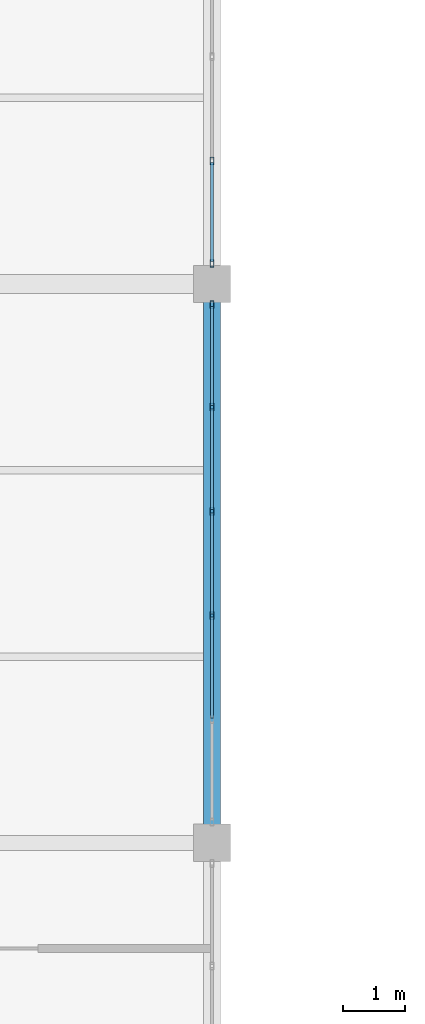
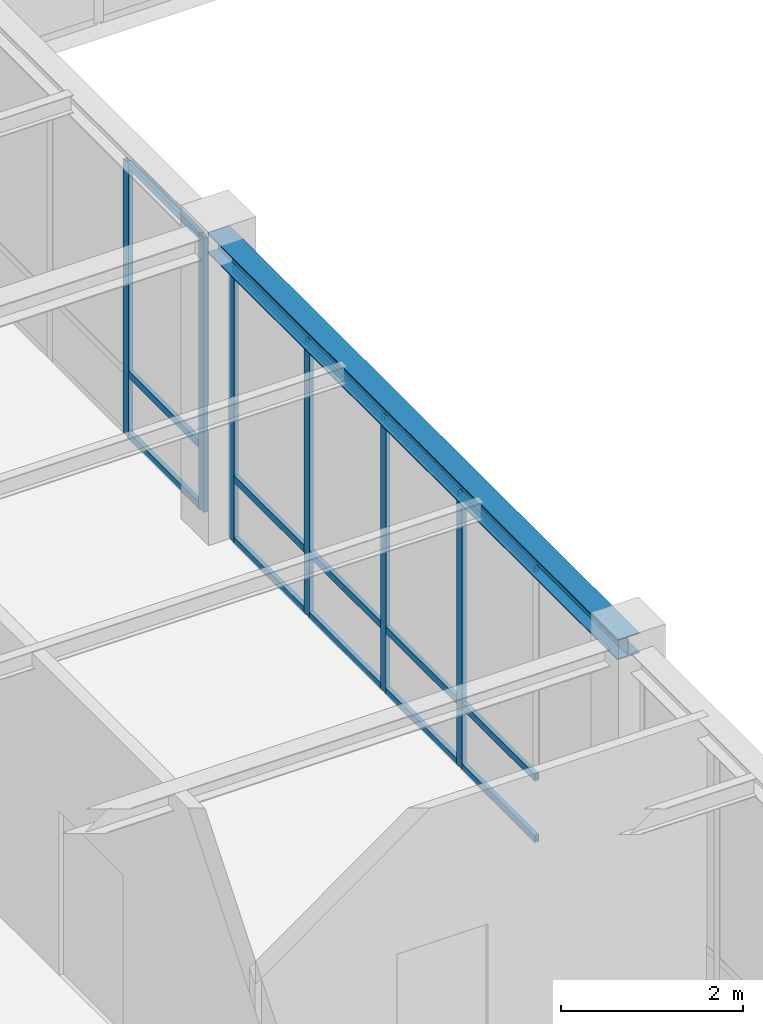
# One storey, part 34 of 97: 21 members, 1 beam, 2 elements without a shape of their own.
"""IFC4 building model written with IfcOpenShell, lengths in metres."""

from ifc_helpers import new_model, si_unit, direction, frame, origin, origin_2d, place, context, subcontext, project, spatial, hollow_rectangle, i_section, extrude, material, material_profile, profile_set, type_object, element, aggregate, save


model = new_model("IFC4")

# Units and contexts
model_context = context("Model", 3, precision=1e-05, world=origin(), true_north=direction((0.0, 1.0)))
body_context = subcontext(model_context, "Body", "Model", "MODEL_VIEW")
ifc_project = project(units=[si_unit("LENGTHUNIT", "METRE"), si_unit("AREAUNIT", "SQUARE_METRE"), si_unit("VOLUMEUNIT", "CUBIC_METRE"), si_unit("PLANEANGLEUNIT", "RADIAN"), si_unit("MASSUNIT", "GRAM", prefix="KILO")], contexts=[model_context])

# Site, building, storey
site_placement = place(None, origin())
site = spatial("IfcSite", under=ifc_project, at=site_placement, CompositionType="ELEMENT")
building_placement = place(site_placement, origin())
building = spatial("IfcBuilding", under=site, at=building_placement, Name="Lykobir Media Centre", CompositionType="ELEMENT")
storey_placement = place(building_placement, frame((0.0, 0.0, 23.39990234375)))
storey = spatial("IfcBuildingStorey", under=building, at=storey_placement, Name="L05", CompositionType="ELEMENT", Elevation=23.39990234375)

# Beam
ifc_material_1 = material(Name="Steel S355", Category="steel")
ifc_material_profile_1 = material_profile(ifc_material_1, i_section(OverallWidth=0.280029296875, OverallDepth=0.27001953125, WebThickness=0.008056640625, FlangeThickness=0.012939453125, at=origin_2d()), Name="HEA 280")
ifc_profile_set_1 = profile_set([ifc_material_profile_1], Name="Steel S355")
beam_type = type_object("IfcBeamType", Name="BM-HEA280", PredefinedType="BEAM", material=ifc_profile_set_1)
beam_placement = place(storey_placement, frame((36.0, 45.0, 3.822998046875), z_axis=(0.0, 1.0, 0.0), x_axis=(-1.0, 0.0, 0.0)))
element("IfcBeam", 1, at=beam_placement, inside=storey, type_object=beam_type, Name="Beam BM-L05-0360-0450-0360-0540-2728", PredefinedType="BEAM", context=body_context, shape_type="SweptSolid", body=[
    extrude(i_section(OverallWidth=0.280029296875, OverallDepth=0.27001953125, WebThickness=0.008056640625, FlangeThickness=0.012939453125, at=origin_2d()), origin(), (0.0, 0.0, 1.0), 9.0),
])

# Curtain wall, members
ifc_material_2 = material(Name="Anodized Aluminium AW-6060", Category="aluminium")
curtain_wall_type = type_object("IfcCurtainWallType", Name="CW-COURT-B", PredefinedType="NOTDEFINED", material=ifc_material_2)
curtain_wall_1_placement = place(storey_placement, origin())
curtain_wall_1 = element("IfcCurtainWall", 2, at=curtain_wall_1_placement, inside=storey, type_object=curtain_wall_type, Name="Curtain wall CW2-L05-0197", PredefinedType="NOTDEFINED")
ifc_material_profile_2 = material_profile(ifc_material_2, hollow_rectangle(XDim=0.054931640625, YDim=0.1201171875, WallThickness=0.003173828125, at=origin_2d()), Name="ALU MULLION 55x120")
ifc_profile_set_2 = profile_set([ifc_material_profile_2], Name="Anodized Aluminium AW-6060")
member_type_1 = type_object("IfcMemberType", Name="CWM-120", PredefinedType="MULLION", material=ifc_profile_set_2)
member_1_placement = place(storey_placement, frame((36.0, 53.66748046875, 0.0), z_axis=(0.0, 0.0, 1.0), x_axis=(1.0, 0.0, 0.0)))
member_1 = element("IfcMember", 3, at=member_1_placement, type_object=member_type_1, Name="CW2-L05-0197 mullion 1", PredefinedType="MULLION", context=body_context, shape_type="SweptSolid", body=[
    extrude(hollow_rectangle(XDim=0.054931640625, YDim=0.1201171875, WallThickness=0.003173828125, at=origin_2d()), origin(), (0.0, 0.0, 1.0), 3.673095703125),
])
member_2_placement = place(storey_placement, frame((36.0, 52.01708984375, 0.0), z_axis=(0.0, 0.0, 1.0), x_axis=(1.0, 0.0, 0.0)))
member_2 = element("IfcMember", 4, at=member_2_placement, type_object=member_type_1, Name="CW2-L05-0197 mullion 2", PredefinedType="MULLION", context=body_context, shape_type="SweptSolid", body=[
    extrude(hollow_rectangle(XDim=0.054931640625, YDim=0.1201171875, WallThickness=0.003173828125, at=origin_2d()), origin(), (0.0, 0.0, 1.0), 3.673095703125),
])
member_3_placement = place(storey_placement, frame((36.0, 50.339111328125, 0.0), z_axis=(0.0, 0.0, 1.0), x_axis=(1.0, 0.0, 0.0)))
member_3 = element("IfcMember", 5, at=member_3_placement, type_object=member_type_1, Name="CW2-L05-0197 mullion 3", PredefinedType="MULLION", context=body_context, shape_type="SweptSolid", body=[
    extrude(hollow_rectangle(XDim=0.054931640625, YDim=0.1201171875, WallThickness=0.003173828125, at=origin_2d()), origin(), (0.0, 0.0, 1.0), 3.673095703125),
])
member_4_placement = place(storey_placement, frame((36.0, 48.660888671875, 0.0), z_axis=(0.0, 0.0, 1.0), x_axis=(1.0, 0.0, 0.0)))
member_4 = element("IfcMember", 6, at=member_4_placement, type_object=member_type_1, Name="CW2-L05-0197 mullion 4", PredefinedType="MULLION", context=body_context, shape_type="SweptSolid", body=[
    extrude(hollow_rectangle(XDim=0.054931640625, YDim=0.1201171875, WallThickness=0.003173828125, at=origin_2d()), origin(), (0.0, 0.0, 1.0), 3.673095703125),
])

curtain_wall_2_placement = place(storey_placement, origin())
curtain_wall_2 = element("IfcCurtainWall", 7, at=curtain_wall_2_placement, inside=storey, type_object=curtain_wall_type, Name="Curtain wall CW2-L05-0198", PredefinedType="NOTDEFINED")
member_5_placement = place(storey_placement, frame((36.0, 55.98291015625, 0.0), z_axis=(0.0, 0.0, 1.0), x_axis=(1.0, 0.0, 0.0)))
member_5 = element("IfcMember", 8, at=member_5_placement, type_object=member_type_1, Name="CW2-L05-0198 mullion 5", PredefinedType="MULLION", context=body_context, shape_type="SweptSolid", body=[
    extrude(hollow_rectangle(XDim=0.054931640625, YDim=0.1201171875, WallThickness=0.003173828125, at=origin_2d()), origin(), (0.0, 0.0, 1.0), 3.673095703125),
])
member_6_placement = place(storey_placement, frame((36.0, 54.33251953125, 0.0), z_axis=(0.0, 0.0, 1.0), x_axis=(1.0, 0.0, 0.0)))
member_6 = element("IfcMember", 9, at=member_6_placement, type_object=member_type_1, Name="CW2-L05-0198 mullion 6", PredefinedType="MULLION", context=body_context, shape_type="SweptSolid", body=[
    extrude(hollow_rectangle(XDim=0.054931640625, YDim=0.1201171875, WallThickness=0.003173828125, at=origin_2d()), origin(), (0.0, 0.0, 1.0), 3.673095703125),
])

# Member
ifc_material_profile_3 = material_profile(ifc_material_2, hollow_rectangle(XDim=0.054931640625, YDim=0.094970703125, WallThickness=0.0029296875, at=origin_2d()), Name="ALU TRANSOM 55x95")
ifc_profile_set_3 = profile_set([ifc_material_profile_3], Name="Anodized Aluminium AW-6060")
member_type_2 = type_object("IfcMemberType", Name="CWT-095", PredefinedType="USERDEFINED", material=ifc_profile_set_3)
member_7_placement = place(storey_placement, frame((36.0, 53.639892578125, 0.027587890625), z_axis=(0.0, -1.0, 0.0), x_axis=(1.0, 0.0, 0.0)))
member_7 = element("IfcMember", 10, at=member_7_placement, type_object=member_type_2, Name="CW2-L05-0197 transom 1.1", ObjectType="TRANSOM", PredefinedType="USERDEFINED", context=body_context, shape_type="SweptSolid", body=[
    extrude(hollow_rectangle(XDim=0.054931640625, YDim=0.094970703125, WallThickness=0.0029296875, at=origin_2d()), origin(), (0.0, 0.0, 1.0), 1.595458984375),
])

member_8_placement = place(storey_placement, frame((36.0, 53.639892578125, 0.85009765625), z_axis=(0.0, -1.0, 0.0), x_axis=(1.0, 0.0, 0.0)))
member_8 = element("IfcMember", 11, at=member_8_placement, type_object=member_type_2, Name="CW2-L05-0197 transom 1.2", ObjectType="TRANSOM", PredefinedType="USERDEFINED", context=body_context, shape_type="SweptSolid", body=[
    extrude(hollow_rectangle(XDim=0.054931640625, YDim=0.094970703125, WallThickness=0.0029296875, at=origin_2d()), origin(), (0.0, 0.0, 1.0), 1.595458984375),
])

member_9_placement = place(storey_placement, frame((36.0, 53.639892578125, 3.6455078125), z_axis=(0.0, -1.0, 0.0), x_axis=(1.0, 0.0, 0.0)))
member_9 = element("IfcMember", 12, at=member_9_placement, type_object=member_type_2, Name="CW2-L05-0197 transom 1.3", ObjectType="TRANSOM", PredefinedType="USERDEFINED", context=body_context, shape_type="SweptSolid", body=[
    extrude(hollow_rectangle(XDim=0.054931640625, YDim=0.094970703125, WallThickness=0.0029296875, at=origin_2d()), origin(), (0.0, 0.0, 1.0), 1.595458984375),
])

member_10_placement = place(storey_placement, frame((36.0, 51.989501953125, 0.027587890625), z_axis=(0.0, -1.0, 0.0), x_axis=(1.0, 0.0, 0.0)))
member_10 = element("IfcMember", 13, at=member_10_placement, type_object=member_type_2, Name="CW2-L05-0197 transom 2.1", ObjectType="TRANSOM", PredefinedType="USERDEFINED", context=body_context, shape_type="SweptSolid", body=[
    extrude(hollow_rectangle(XDim=0.054931640625, YDim=0.094970703125, WallThickness=0.0029296875, at=origin_2d()), origin(), (0.0, 0.0, 1.0), 1.623046875),
])

member_11_placement = place(storey_placement, frame((36.0, 51.989501953125, 0.85009765625), z_axis=(0.0, -1.0, 0.0), x_axis=(1.0, 0.0, 0.0)))
member_11 = element("IfcMember", 14, at=member_11_placement, type_object=member_type_2, Name="CW2-L05-0197 transom 2.2", ObjectType="TRANSOM", PredefinedType="USERDEFINED", context=body_context, shape_type="SweptSolid", body=[
    extrude(hollow_rectangle(XDim=0.054931640625, YDim=0.094970703125, WallThickness=0.0029296875, at=origin_2d()), origin(), (0.0, 0.0, 1.0), 1.623046875),
])

member_12_placement = place(storey_placement, frame((36.0, 51.989501953125, 3.6455078125), z_axis=(0.0, -1.0, 0.0), x_axis=(1.0, 0.0, 0.0)))
member_12 = element("IfcMember", 15, at=member_12_placement, type_object=member_type_2, Name="CW2-L05-0197 transom 2.3", ObjectType="TRANSOM", PredefinedType="USERDEFINED", context=body_context, shape_type="SweptSolid", body=[
    extrude(hollow_rectangle(XDim=0.054931640625, YDim=0.094970703125, WallThickness=0.0029296875, at=origin_2d()), origin(), (0.0, 0.0, 1.0), 1.623046875),
])

member_13_placement = place(storey_placement, frame((36.0, 50.3115234375, 0.027587890625), z_axis=(0.0, -1.0, 0.0), x_axis=(1.0, 0.0, 0.0)))
member_13 = element("IfcMember", 16, at=member_13_placement, type_object=member_type_2, Name="CW2-L05-0197 transom 3.1", ObjectType="TRANSOM", PredefinedType="USERDEFINED", context=body_context, shape_type="SweptSolid", body=[
    extrude(hollow_rectangle(XDim=0.054931640625, YDim=0.094970703125, WallThickness=0.0029296875, at=origin_2d()), origin(), (0.0, 0.0, 1.0), 1.623046875),
])

member_14_placement = place(storey_placement, frame((36.0, 50.3115234375, 0.85009765625), z_axis=(0.0, -1.0, 0.0), x_axis=(1.0, 0.0, 0.0)))
member_14 = element("IfcMember", 17, at=member_14_placement, type_object=member_type_2, Name="CW2-L05-0197 transom 3.2", ObjectType="TRANSOM", PredefinedType="USERDEFINED", context=body_context, shape_type="SweptSolid", body=[
    extrude(hollow_rectangle(XDim=0.054931640625, YDim=0.094970703125, WallThickness=0.0029296875, at=origin_2d()), origin(), (0.0, 0.0, 1.0), 1.623046875),
])

member_15_placement = place(storey_placement, frame((36.0, 50.3115234375, 3.6455078125), z_axis=(0.0, -1.0, 0.0), x_axis=(1.0, 0.0, 0.0)))
member_15 = element("IfcMember", 18, at=member_15_placement, type_object=member_type_2, Name="CW2-L05-0197 transom 3.3", ObjectType="TRANSOM", PredefinedType="USERDEFINED", context=body_context, shape_type="SweptSolid", body=[
    extrude(hollow_rectangle(XDim=0.054931640625, YDim=0.094970703125, WallThickness=0.0029296875, at=origin_2d()), origin(), (0.0, 0.0, 1.0), 1.623046875),
])

member_16_placement = place(storey_placement, frame((36.0, 48.633544921875, 0.027587890625), z_axis=(0.0, -1.0, 0.0), x_axis=(1.0, 0.0, 0.0)))
member_16 = element("IfcMember", 19, at=member_16_placement, type_object=member_type_2, Name="CW2-L05-0197 transom 4.1", ObjectType="TRANSOM", PredefinedType="USERDEFINED", context=body_context, shape_type="SweptSolid", body=[
    extrude(hollow_rectangle(XDim=0.054931640625, YDim=0.094970703125, WallThickness=0.0029296875, at=origin_2d()), origin(), (0.0, 0.0, 1.0), 1.623046875),
])

member_17_placement = place(storey_placement, frame((36.0, 48.633544921875, 0.85009765625), z_axis=(0.0, -1.0, 0.0), x_axis=(1.0, 0.0, 0.0)))
member_17 = element("IfcMember", 20, at=member_17_placement, type_object=member_type_2, Name="CW2-L05-0197 transom 4.2", ObjectType="TRANSOM", PredefinedType="USERDEFINED", context=body_context, shape_type="SweptSolid", body=[
    extrude(hollow_rectangle(XDim=0.054931640625, YDim=0.094970703125, WallThickness=0.0029296875, at=origin_2d()), origin(), (0.0, 0.0, 1.0), 1.623046875),
])

member_18_placement = place(storey_placement, frame((36.0, 48.633544921875, 3.6455078125), z_axis=(0.0, -1.0, 0.0), x_axis=(1.0, 0.0, 0.0)))
member_18 = element("IfcMember", 21, at=member_18_placement, type_object=member_type_2, Name="CW2-L05-0197 transom 4.3", ObjectType="TRANSOM", PredefinedType="USERDEFINED", context=body_context, shape_type="SweptSolid", body=[
    extrude(hollow_rectangle(XDim=0.054931640625, YDim=0.094970703125, WallThickness=0.0029296875, at=origin_2d()), origin(), (0.0, 0.0, 1.0), 1.623046875),
])

aggregate(curtain_wall_1, [member_1, member_2, member_3, member_4, member_7, member_8, member_9, member_10, member_11, member_12, member_13, member_14, member_15, member_16, member_17, member_18])

member_19_placement = place(storey_placement, frame((36.0, 55.95556640625, 0.027587890625), z_axis=(0.0, -1.0, 0.0), x_axis=(1.0, 0.0, 0.0)))
member_19 = element("IfcMember", 22, at=member_19_placement, type_object=member_type_2, Name="CW2-L05-0198 transom 5.1", ObjectType="TRANSOM", PredefinedType="USERDEFINED", context=body_context, shape_type="SweptSolid", body=[
    extrude(hollow_rectangle(XDim=0.054931640625, YDim=0.094970703125, WallThickness=0.0029296875, at=origin_2d()), origin(), (0.0, 0.0, 1.0), 1.595458984375),
])

member_20_placement = place(storey_placement, frame((36.0, 55.95556640625, 0.85009765625), z_axis=(0.0, -1.0, 0.0), x_axis=(1.0, 0.0, 0.0)))
member_20 = element("IfcMember", 23, at=member_20_placement, type_object=member_type_2, Name="CW2-L05-0198 transom 5.2", ObjectType="TRANSOM", PredefinedType="USERDEFINED", context=body_context, shape_type="SweptSolid", body=[
    extrude(hollow_rectangle(XDim=0.054931640625, YDim=0.094970703125, WallThickness=0.0029296875, at=origin_2d()), origin(), (0.0, 0.0, 1.0), 1.595458984375),
])

member_21_placement = place(storey_placement, frame((36.0, 55.95556640625, 3.6455078125), z_axis=(0.0, -1.0, 0.0), x_axis=(1.0, 0.0, 0.0)))
member_21 = element("IfcMember", 24, at=member_21_placement, type_object=member_type_2, Name="CW2-L05-0198 transom 5.3", ObjectType="TRANSOM", PredefinedType="USERDEFINED", context=body_context, shape_type="SweptSolid", body=[
    extrude(hollow_rectangle(XDim=0.054931640625, YDim=0.094970703125, WallThickness=0.0029296875, at=origin_2d()), origin(), (0.0, 0.0, 1.0), 1.595458984375),
])

aggregate(curtain_wall_2, [member_5, member_6, member_19, member_20, member_21])

save(model, "model.ifc")
